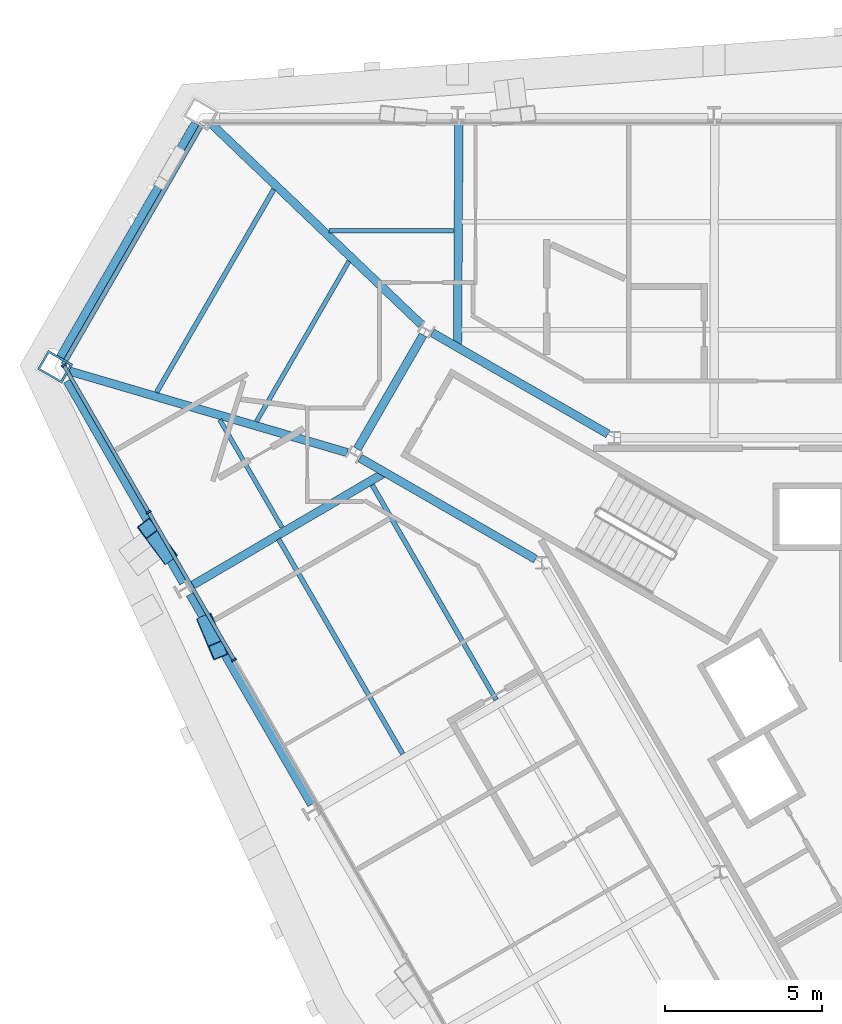
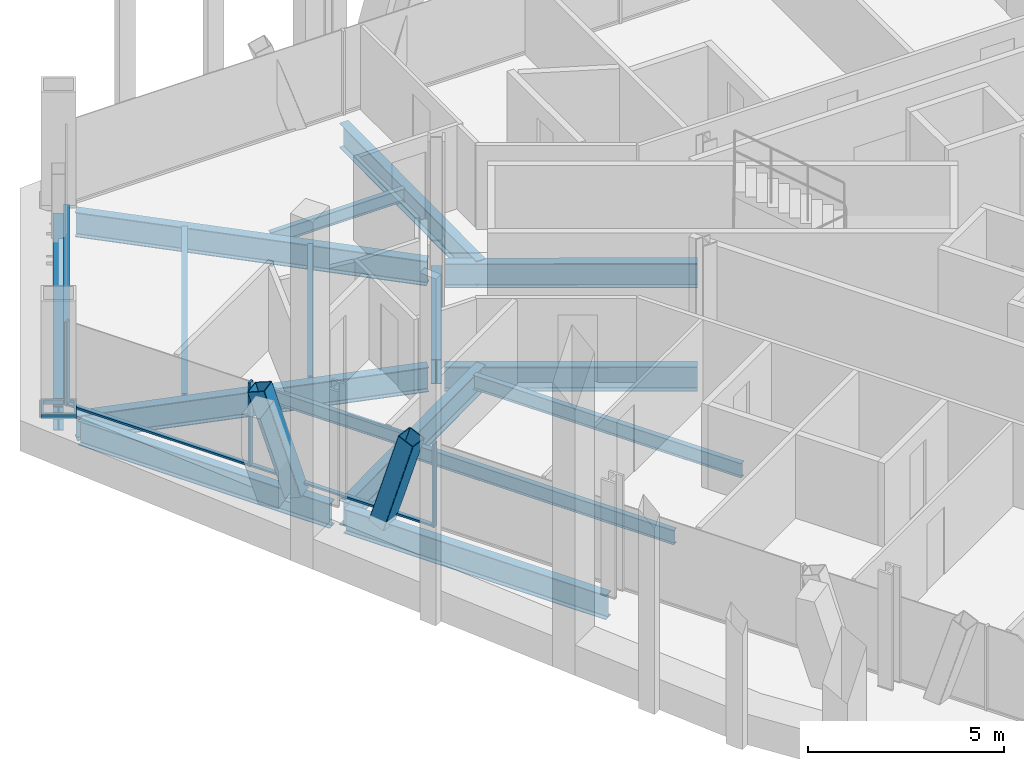
# One storey, part 7 of 19: 16 beams, 9 members, 2 elements without a shape of their own.
"""IFC4 building model written with IfcOpenShell, lengths in metres."""

import ifcopenshell
import ifcopenshell.guid

model = None  # the IFC model being written
_history = None  # IfcOwnerHistory: only IFC2X3 demands one
_inside = {}  # id of a spatial element -> (the spatial element, [elements in it])
_under = {}  # id of a project, library or spatial element -> (it, [spatial elements below it])
_declared = {}  # id of a project -> (the project, [libraries it declares])
_typed = {}  # id of a type object -> (the type object, [elements of that type])
_made_of = {}  # id of a material, layer set ... -> (it, [elements and type objects made of it])


def new_model(schema):
    """Start an empty IFC model of exactly this schema.

    Asked for "IFC4X3", IfcOpenShell would pick the latest addendum, in which some entities
    have other attributes; the version numbers below select the first issue.
    IFC2X3 requires an IfcOwnerHistory on every rooted entity: one is made here for all.
    """
    global model, _history
    if schema == "IFC4X3":
        model = ifcopenshell.file(schema_version=(4, 3, 0, 0))
    else:
        model = ifcopenshell.file(schema=schema)
    _inside.clear()
    _under.clear()
    _declared.clear()
    _typed.clear()
    _made_of.clear()
    _history = None
    if model.schema == "IFC2X3":
        org = make("IfcOrganization", Name="unknown")
        user = make(
            "IfcPersonAndOrganization",
            ThePerson=make("IfcPerson", FamilyName="unknown"),
            TheOrganization=org,
        )
        app = make(
            "IfcApplication",
            ApplicationDeveloper=org,
            Version="unknown",
            ApplicationFullName="unknown",
            ApplicationIdentifier="unknown",
        )
        _history = make(
            "IfcOwnerHistory",
            OwningUser=user,
            OwningApplication=app,
            ChangeAction="ADDED",
            CreationDate=0,
        )
    return model


def make(cls, **values):
    """One entity of the class cls with the attributes given. An attribute that is None is left unset."""
    return model.create_entity(
        cls, **{name: value for name, value in values.items() if value is not None}
    )


def rooted(cls, **values):
    """An entity with a GlobalId (a new one), such as an element, a storey or a relation."""
    return make(cls, GlobalId=ifcopenshell.guid.new(), OwnerHistory=_history, **values)


def si_unit(unit_type, name, prefix=None):
    """IfcSIUnit, for example si_unit("LENGTHUNIT", "METRE", prefix="MILLI")."""
    return make("IfcSIUnit", UnitType=unit_type, Prefix=prefix, Name=name)


def assignment(units):
    """IfcUnitAssignment: the units of a project."""
    return None if units is None else make("IfcUnitAssignment", Units=units)


def point(xyz):
    """IfcCartesianPoint."""
    return None if xyz is None else make("IfcCartesianPoint", Coordinates=xyz)


def direction(xyz):
    """IfcDirection."""
    return None if xyz is None else make("IfcDirection", DirectionRatios=xyz)


def frame(location, z_axis=None, x_axis=None):
    """IfcAxis2Placement3D, a coordinate frame: its origin and axes. An axis left out is left unset."""
    return make(
        "IfcAxis2Placement3D",
        Location=point(location),
        Axis=direction(z_axis),
        RefDirection=direction(x_axis),
    )


def frame_2d(location, x_axis=None):
    """IfcAxis2Placement2D, a coordinate frame in the plane: its origin and x axis."""
    return make(
        "IfcAxis2Placement2D", Location=point(location), RefDirection=direction(x_axis)
    )


def origin():
    """The frame at (0, 0, 0) with its axes left unset."""
    return frame((0.0, 0.0, 0.0))


def origin_2d():
    """The frame at (0, 0) in the plane with its x axis left unset."""
    return frame_2d((0.0, 0.0))


def place(relative_to, where):
    """IfcLocalPlacement: puts the frame where relative to a parent placement (None: the world)."""
    return make(
        "IfcLocalPlacement", PlacementRelTo=relative_to, RelativePlacement=where
    )


def context(
    kind, dimensions, precision=None, world=None, true_north=None, identifier=None
):
    """IfcGeometricRepresentationContext, for example the 3D "Model" context."""
    return make(
        "IfcGeometricRepresentationContext",
        ContextIdentifier=identifier,
        ContextType=kind,
        CoordinateSpaceDimension=dimensions,
        Precision=precision,
        WorldCoordinateSystem=world,
        TrueNorth=true_north,
    )


def subcontext(parent, identifier, kind, view, scale=None):
    """IfcGeometricRepresentationSubContext, for example "Body" below "Model"."""
    return make(
        "IfcGeometricRepresentationSubContext",
        ContextIdentifier=identifier,
        ContextType=kind,
        ParentContext=parent,
        TargetScale=scale,
        TargetView=view,
    )


def project(units=None, contexts=None):
    """IfcProject with its units and contexts."""
    return rooted(
        "IfcProject",
        Name="project",
        RepresentationContexts=contexts,
        UnitsInContext=assignment(units),
    )


def spatial(cls, under=None, at=None, **own):
    """A site, building, storey or space (cls), placed at a placement, below another one or the project."""
    s = rooted(cls, ObjectPlacement=at, **own)
    if under is not None:
        _under.setdefault(under.id(), (under, []))[1].append(s)
    return s


def profile(cls, at=None, kind="AREA", **sizes):
    """A parametric profile (cls). Its sizes go by their IFC names, for example OverallWidth=200.0."""
    return make(cls, ProfileType=kind, Position=at, **sizes)


def rectangle(**sizes):
    """IfcRectangleProfileDef."""
    return profile("IfcRectangleProfileDef", **sizes)


def hollow_rectangle(**sizes):
    """IfcRectangleHollowProfileDef."""
    return profile("IfcRectangleHollowProfileDef", **sizes)


def i_section(**sizes):
    """IfcIShapeProfileDef."""
    return profile("IfcIShapeProfileDef", **sizes)


def extrude(swept, where, along, depth):
    """IfcExtrudedAreaSolid: the profile swept, set in the frame where, extruded along a direction by depth."""
    return make(
        "IfcExtrudedAreaSolid",
        SweptArea=swept,
        Position=where,
        ExtrudedDirection=direction(along),
        Depth=depth,
    )


def shape(context_of_items, identifier, shape_type, items):
    """IfcShapeRepresentation: the items that make up one representation, for example the "Body"."""
    return make(
        "IfcShapeRepresentation",
        ContextOfItems=context_of_items,
        RepresentationIdentifier=identifier,
        RepresentationType=shape_type,
        Items=items,
    )


def material(Name=None, Category=None):
    """IfcMaterial."""
    return make("IfcMaterial", Name=Name, Category=Category)


def material_profile(
    of_material, cross_section, Name=None, Category=None, Priority=None
):
    """IfcMaterialProfile: a cross section and its material."""
    return make(
        "IfcMaterialProfile",
        Name=Name,
        Material=of_material,
        Profile=cross_section,
        Priority=Priority,
        Category=Category,
    )


def profile_set(profiles, Name=None, composite=None):
    """IfcMaterialProfileSet."""
    return make(
        "IfcMaterialProfileSet",
        Name=Name,
        MaterialProfiles=profiles,
        CompositeProfile=composite,
    )


def made_of(thing, what):
    """Note that an element or type object is made of a material, layer set ...; save() writes the relation."""
    if what is not None:
        _made_of.setdefault(what.id(), (what, []))[1].append(thing)
    return thing


def type_object(cls, material=None, **own):
    """A type object (cls), such as IfcWallType, which elements share."""
    return made_of(rooted(cls, **own), material)


def element(
    cls,
    number,
    at=None,
    inside=None,
    cuts=None,
    type_object=None,
    material=None,
    context=None,
    identifier="Body",
    shape_type=None,
    held_by="IfcProductDefinitionShape",
    body=None,
    shapes=None,
    **own,
):
    """One element of the class cls, such as IfcWall. Its Tag is "e" and its number.

    at: its placement. inside: the storey or other place that contains it. cuts: it is an
    opening in that element (IfcRelVoidsElement). A single representation is given by context,
    identifier, shape_type and body (its items); several are given by shapes. held_by: the class
    of the entity that holds the representations. save() writes the other relations.
    """
    e = rooted(cls, Tag="e%d" % number, ObjectPlacement=at, **own)
    if body is not None:
        shapes = [shape(context, identifier, shape_type, body)]
    if shapes is not None:
        e.Representation = make(held_by, Representations=shapes)
    if inside is not None:
        _inside.setdefault(inside.id(), (inside, []))[1].append(e)
    if cuts is not None:
        rooted(
            "IfcRelVoidsElement", RelatingBuildingElement=cuts, RelatedOpeningElement=e
        )
    if type_object is not None:
        _typed.setdefault(type_object.id(), (type_object, []))[1].append(e)
    return made_of(e, material)


def aggregate(whole, parts):
    """IfcRelAggregates: a whole, such as a stair, and the parts it consists of."""
    return rooted("IfcRelAggregates", RelatingObject=whole, RelatedObjects=parts)


def save(model, path):
    """Write the relations noted so far, then the file.

    IfcRelAggregates (storeys below a building ...), IfcRelContainedInSpatialStructure (elements
    in a storey), IfcRelDefinesByType, IfcRelAssociatesMaterial and IfcRelDeclares: one each for
    every whole, place, type object, material and project.
    """
    for whole, parts in _under.values():
        aggregate(whole, parts)
    for where, things in _inside.values():
        rooted(
            "IfcRelContainedInSpatialStructure",
            RelatedElements=things,
            RelatingStructure=where,
        )
    for kind, things in _typed.values():
        rooted("IfcRelDefinesByType", RelatedObjects=things, RelatingType=kind)
    for what, things in _made_of.values():
        rooted("IfcRelAssociatesMaterial", RelatedObjects=things, RelatingMaterial=what)
    for by, libraries in _declared.values():
        rooted("IfcRelDeclares", RelatingContext=by, RelatedDefinitions=libraries)
    model.write(path)


model = new_model("IFC4")

# Units and contexts
model_context = context("Model", 3, precision=1e-05, world=origin(), true_north=direction((0.0, 1.0)))
body_context = subcontext(model_context, "Body", "Model", "MODEL_VIEW")
ifc_project = project(units=[si_unit("LENGTHUNIT", "METRE"), si_unit("AREAUNIT", "SQUARE_METRE"), si_unit("VOLUMEUNIT", "CUBIC_METRE"), si_unit("PLANEANGLEUNIT", "RADIAN"), si_unit("MASSUNIT", "GRAM", prefix="KILO")], contexts=[model_context])

# Site, building, storey
site_placement = place(None, origin())
site = spatial("IfcSite", under=ifc_project, at=site_placement, CompositionType="ELEMENT")
building_placement = place(site_placement, origin())
building = spatial("IfcBuilding", under=site, at=building_placement, Name="Verrane Prism Tower", CompositionType="ELEMENT")
storey_placement = place(building_placement, frame((0.0, 0.0, 121.60009765625)))
storey = spatial("IfcBuildingStorey", under=building, at=storey_placement, Name="L29", CompositionType="ELEMENT", Elevation=121.60009765625)

# Beams
ifc_material_1 = material(Name="Steel A992", Category="steel")
ifc_material_profile_1 = material_profile(ifc_material_1, i_section(OverallWidth=0.2666015625, OverallDepth=0.76708984375, WebThickness=0.014892578125, FlangeThickness=0.023681640625, FilletRadius=0.0166015625, at=origin_2d()), Name="W30x124")
ifc_profile_set_1 = profile_set([ifc_material_profile_1], Name="Steel A992")
beam_type_1 = type_object("IfcBeamType", Name="Chamfer spandrel beam W30x124", PredefinedType="SPANDREL", material=ifc_profile_set_1)
beam_1_placement = place(storey_placement, frame((-24.64501953125, 19.18701171875, -0.543701171875), z_axis=(-0.499834903175, -0.866120701501, 0.0), x_axis=(0.866120701501, -0.499834903175, 0.0)))
element("IfcBeam", 1, at=beam_1_placement, inside=storey, type_object=beam_type_1, Name="Chamfer spandrel beam L29", PredefinedType="SPANDREL", context=body_context, shape_type="SweptSolid", body=[
    extrude(i_section(OverallWidth=0.2666015625, OverallDepth=0.76708984375, WebThickness=0.014892578125, FlangeThickness=0.023681640625, FilletRadius=0.0166015625, at=origin_2d()), origin(), (0.0, 0.0, 1.0), 8.5830078125),
])
ifc_material_2 = material(Name="Steel A992", Category="steel")
ifc_material_profile_2 = material_profile(ifc_material_2, i_section(OverallWidth=0.2666015625, OverallDepth=0.7568359375, WebThickness=0.013916015625, FlangeThickness=0.019287109375, FilletRadius=0.0166015625, at=origin_2d()), Name="W30x108")
ifc_profile_set_2 = profile_set([ifc_material_profile_2], Name="Steel A992")
beam_type_2 = type_object("IfcBeamType", Name="Core ring girder W30x108", PredefinedType="BEAM", material=ifc_profile_set_2)
beam_2_placement = place(storey_placement, frame((-11.53076171875, 9.315673828125, -0.628662109375), z_axis=(-0.866455532004, 0.499254254924, 0.0), x_axis=(-0.499254254924, -0.866455532004, 0.0)))
element("IfcBeam", 2, at=beam_2_placement, inside=storey, type_object=beam_type_2, Name="Core ring girder L29", PredefinedType="BEAM", context=body_context, shape_type="SweptSolid", body=[
    extrude(i_section(OverallWidth=0.2666015625, OverallDepth=0.7568359375, WebThickness=0.013916015625, FlangeThickness=0.019287109375, FilletRadius=0.0166015625, at=origin_2d()), origin(), (0.0, 0.0, 1.0), 6.441162109375),
])
beam_3_placement = place(storey_placement, frame((-17.40283203125, 12.4619140625, -0.628662109375), z_axis=(-0.500367003619, -0.865813410435, 0.0), x_axis=(0.865813410435, -0.500367003619, 0.0)))
element("IfcBeam", 3, at=beam_3_placement, inside=storey, type_object=beam_type_2, Name="Core ring girder L29", PredefinedType="BEAM", context=body_context, shape_type="SweptSolid", body=[
    extrude(i_section(OverallWidth=0.2666015625, OverallDepth=0.7568359375, WebThickness=0.013916015625, FlangeThickness=0.019287109375, FilletRadius=0.0166015625, at=origin_2d()), origin(), (0.0, 0.0, 1.0), 4.185302734375),
])
beam_4_placement = place(storey_placement, frame((-19.411865234375, 8.551513671875, -0.628662109375), z_axis=(0.866455532004, -0.499254254924, 0.0), x_axis=(0.499254254924, 0.866455532004, 0.0)))
element("IfcBeam", 4, at=beam_4_placement, inside=storey, type_object=beam_type_2, Name="Core ring girder L29", PredefinedType="BEAM", context=body_context, shape_type="SweptSolid", body=[
    extrude(i_section(OverallWidth=0.2666015625, OverallDepth=0.7568359375, WebThickness=0.013916015625, FlangeThickness=0.019287109375, FilletRadius=0.0166015625, at=origin_2d()), origin(), (0.0, 0.0, 1.0), 6.441162109375),
])
ifc_material_3 = material(Name="Steel A992", Category="steel")
ifc_material_profile_3 = material_profile(ifc_material_3, i_section(OverallWidth=0.2666015625, OverallDepth=0.76708984375, WebThickness=0.014892578125, FlangeThickness=0.023681640625, FilletRadius=0.0166015625, at=origin_2d()), Name="W30x124")
ifc_profile_set_3 = profile_set([ifc_material_profile_3], Name="Steel A992")
beam_type_3 = type_object("IfcBeamType", Name="Corner girder W30x124", PredefinedType="BEAM", material=ifc_profile_set_3)
beam_5_placement = place(storey_placement, frame((-24.135009765625, 19.170166015625, -0.603515625), z_axis=(0.723045594002, -0.690800310506, 0.0), x_axis=(0.690800310506, 0.723045594002, 0.0)))
element("IfcBeam", 5, at=beam_5_placement, inside=storey, type_object=beam_type_3, Name="Corner girder L29", PredefinedType="BEAM", context=body_context, shape_type="SweptSolid", body=[
    extrude(i_section(OverallWidth=0.2666015625, OverallDepth=0.76708984375, WebThickness=0.014892578125, FlangeThickness=0.023681640625, FilletRadius=0.0166015625, at=origin_2d()), origin(), (0.0, 0.0, 1.0), 9.2294921875),
])
beam_6_placement = place(storey_placement, frame((-28.66552734375, 11.319580078125, -0.603515625), z_axis=(0.959558305514, -0.281509961313, 0.0), x_axis=(0.281509961313, 0.959558305514, 0.0)))
element("IfcBeam", 6, at=beam_6_placement, inside=storey, type_object=beam_type_3, Name="Corner girder L29", PredefinedType="BEAM", context=body_context, shape_type="SweptSolid", body=[
    extrude(i_section(OverallWidth=0.2666015625, OverallDepth=0.76708984375, WebThickness=0.014892578125, FlangeThickness=0.023681640625, FilletRadius=0.0166015625, at=origin_2d()), origin(), (0.0, 0.0, 1.0), 9.22412109375),
])

# Members
ifc_material_4 = material(Name="Steel A1085 Grade A", Category="steel")
ifc_material_profile_4 = material_profile(ifc_material_4, hollow_rectangle(XDim=0.508056640625, YDim=0.508056640625, WallThickness=0.025390625, InnerFilletRadius=0.0126953125, OuterFilletRadius=0.0380859375, at=origin_2d()), Name="HSS20x20x1")
ifc_profile_set_4 = profile_set([ifc_material_profile_4], Name="Steel A1085 Grade A")
member_type_1 = type_object("IfcMemberType", Name="Facade brace HSS20x20x1", PredefinedType="BRACE", material=ifc_profile_set_4)
member_1_placement = place(storey_placement, frame((-25.54443359375, 5.493896484375, -0.24267578125), z_axis=(-0.191600235663, 0.258080060712, 0.946934016686), x_axis=(-0.802917137422, -0.596090656222, 0.0)))
element("IfcMember", 7, at=member_1_placement, inside=storey, type_object=member_type_1, Name="Facade brace SW0 L29", PredefinedType="BRACE", context=body_context, shape_type="SweptSolid", body=[
    extrude(hollow_rectangle(XDim=0.508056640625, YDim=0.508056640625, WallThickness=0.025390625, InnerFilletRadius=0.0126953125, OuterFilletRadius=0.0380859375, at=origin_2d()), origin(), (0.0, 0.0, 1.0), 3.176513671875),
])
member_2_placement = place(storey_placement, frame((-24.287109375, 3.314453125, -0.24267578125), z_axis=(0.11629514021, -0.276413881858, 0.95397631327), x_axis=(0.921742261649, 0.387803046778, 0.0)))
element("IfcMember", 8, at=member_2_placement, inside=storey, type_object=member_type_1, Name="Facade brace SW1 L29", PredefinedType="BRACE", context=body_context, shape_type="SweptSolid", body=[
    extrude(hollow_rectangle(XDim=0.508056640625, YDim=0.508056640625, WallThickness=0.025390625, InnerFilletRadius=0.0126953125, OuterFilletRadius=0.0380859375, at=origin_2d()), origin(), (0.0, 0.0, 1.0), 3.153076171875),
])

# Beams
ifc_material_5 = material(Name="Steel A992", Category="steel")
ifc_material_profile_5 = material_profile(ifc_material_5, i_section(OverallWidth=0.140380859375, OverallDepth=0.40380859375, WebThickness=0.007080078125, FlangeThickness=0.01123046875, FilletRadius=0.01025390625, at=origin_2d()), Name="W16x31")
ifc_profile_set_5 = profile_set([ifc_material_profile_5], Name="Steel A992")
beam_type_4 = type_object("IfcBeamType", Name="Floor beam W16x31", PredefinedType="BEAM", material=ifc_profile_set_5)
beam_7_placement = place(storey_placement, frame((-20.393310546875, 15.780029296875, -0.362060546875), z_axis=(1.0, 0.0, 0.0), x_axis=(0.0, 1.0, 0.0)))
element("IfcBeam", 9, at=beam_7_placement, inside=storey, type_object=beam_type_4, Name="Floor beam L29", PredefinedType="BEAM", context=body_context, shape_type="SweptSolid", body=[
    extrude(i_section(OverallWidth=0.140380859375, OverallDepth=0.40380859375, WebThickness=0.007080078125, FlangeThickness=0.01123046875, FilletRadius=0.01025390625, at=origin_2d()), origin(), (0.0, 0.0, 1.0), 3.94970703125),
])
beam_8_placement = place(storey_placement, frame((-21.891845703125, 6.3505859375, -0.362060546875), z_axis=(-0.499986281351, 0.866033324105, 0.0), x_axis=(-0.866033324105, -0.499986281351, 0.0)))
element("IfcBeam", 10, at=beam_8_placement, inside=storey, type_object=beam_type_4, Name="Floor beam L29", PredefinedType="BEAM", context=body_context, shape_type="SweptSolid", body=[
    extrude(i_section(OverallWidth=0.140380859375, OverallDepth=0.40380859375, WebThickness=0.007080078125, FlangeThickness=0.01123046875, FilletRadius=0.01025390625, at=origin_2d()), origin(), (0.0, 0.0, 1.0), 3.95166015625),
])
beam_9_placement = place(storey_placement, frame((-22.70068359375, 9.708740234375, -0.362060546875), z_axis=(0.500003813253, 0.866023202191, 0.0), x_axis=(-0.866023202191, 0.500003813253, 0.0)))
element("IfcBeam", 11, at=beam_9_placement, inside=storey, type_object=beam_type_4, Name="Floor beam L29", PredefinedType="BEAM", context=body_context, shape_type="SweptSolid", body=[
    extrude(i_section(OverallWidth=0.140380859375, OverallDepth=0.40380859375, WebThickness=0.007080078125, FlangeThickness=0.01123046875, FilletRadius=0.01025390625, at=origin_2d()), origin(), (0.0, 0.0, 1.0), 5.8837890625),
])
ifc_material_6 = material(Name="Steel A992", Category="steel")
ifc_material_profile_6 = material_profile(ifc_material_6, i_section(OverallWidth=0.15234375, OverallDepth=0.449462890625, WebThickness=0.007568359375, FlangeThickness=0.0107421875, FilletRadius=0.01025390625, at=origin_2d()), Name="W18x35")
ifc_profile_set_6 = profile_set([ifc_material_profile_6], Name="Steel A992")
beam_type_5 = type_object("IfcBeamType", Name="Floor beam W18x35", PredefinedType="BEAM", material=ifc_profile_set_6)
beam_10_placement = place(storey_placement, frame((-15.0810546875, 0.868408203125, -0.385009765625), z_axis=(-0.499998505031, 0.866026266903, 0.0), x_axis=(-0.866026266903, -0.499998505031, 0.0)))
element("IfcBeam", 12, at=beam_10_placement, inside=storey, type_object=beam_type_5, Name="Floor beam L29", PredefinedType="BEAM", context=body_context, shape_type="SweptSolid", body=[
    extrude(i_section(OverallWidth=0.15234375, OverallDepth=0.449462890625, WebThickness=0.007568359375, FlangeThickness=0.0107421875, FilletRadius=0.01025390625, at=origin_2d()), origin(), (0.0, 0.0, 1.0), 7.88525390625),
])
beam_11_placement = place(storey_placement, frame((-18.055419921875, -0.848876953125, -0.385009765625), z_axis=(-0.500004726595, 0.866022674866, 0.0), x_axis=(-0.866022674866, -0.500004726595, 0.0)))
element("IfcBeam", 13, at=beam_11_placement, inside=storey, type_object=beam_type_5, Name="Floor beam L29", PredefinedType="BEAM", context=body_context, shape_type="SweptSolid", body=[
    extrude(i_section(OverallWidth=0.15234375, OverallDepth=0.449462890625, WebThickness=0.007568359375, FlangeThickness=0.0107421875, FilletRadius=0.01025390625, at=origin_2d()), origin(), (0.0, 0.0, 1.0), 7.88623046875),
])
beam_12_placement = place(storey_placement, frame((-25.871826171875, 10.63916015625, -0.385009765625), z_axis=(0.500011000363, 0.866019052629, 0.0), x_axis=(-0.866019052629, 0.500011000363, 0.0)))
element("IfcBeam", 14, at=beam_12_placement, inside=storey, type_object=beam_type_5, Name="Floor beam L29", PredefinedType="BEAM", context=body_context, shape_type="SweptSolid", body=[
    extrude(i_section(OverallWidth=0.15234375, OverallDepth=0.449462890625, WebThickness=0.007568359375, FlangeThickness=0.0107421875, FilletRadius=0.01025390625, at=origin_2d()), origin(), (0.0, 0.0, 1.0), 7.446044921875),
])

# Member
ifc_material_7 = material(Name="Steel A572 Grade 50", Category="steel")
ifc_material_profile_7 = material_profile(ifc_material_7, hollow_rectangle(XDim=0.699951171875, YDim=0.89990234375, WallThickness=0.06494140625, at=origin_2d()), Name="BOX 900x700x65")
ifc_profile_set_7 = profile_set([ifc_material_profile_7], Name="Steel A572 Grade 50")
member_type_2 = type_object("IfcMemberType", Name="Kink node BOX 900x700x65", PredefinedType="COLLAR", material=ifc_profile_set_7)
member_3_placement = place(storey_placement, frame((-29.1015625, 11.449951171875, -0.0751953125), z_axis=(0.0, 0.0, 1.0), x_axis=(0.5, 0.866025403784, 0.0)))
element("IfcMember", 15, at=member_3_placement, inside=storey, type_object=member_type_2, Name="Kink node MC3 L29", PredefinedType="COLLAR", context=body_context, shape_type="SweptSolid", body=[
    extrude(hollow_rectangle(XDim=0.699951171875, YDim=0.89990234375, WallThickness=0.06494140625, at=origin_2d()), origin(), (0.0, 0.0, 1.0), 0.150146484375),
])

# Curtain wall, members
ifc_material_8 = material(Name="Aluminium framed insulated glazing", Category="aluminium")
curtain_wall_type_1 = type_object("IfcCurtainWallType", Name="Curtain wall CW-B 5600 module", PredefinedType="NOTDEFINED", material=ifc_material_8)
curtain_wall_1_placement = place(storey_placement, origin())
curtain_wall_1 = element("IfcCurtainWall", 16, at=curtain_wall_1_placement, inside=storey, type_object=curtain_wall_type_1, Name="Glazed curtain wall south-west face L29", PredefinedType="NOTDEFINED")
ifc_material_9 = material(Name="Aluminium alloy 6063-T6", Category="aluminium")
ifc_material_profile_8 = material_profile(ifc_material_9, rectangle(XDim=0.159912109375, YDim=0.06005859375, at=origin_2d()), Name="Mullion 60x160 aluminium")
ifc_profile_set_8 = profile_set([ifc_material_profile_8], Name="Aluminium alloy 6063-T6")
member_type_3 = type_object("IfcMemberType", Name="Mullion 60x160 aluminium", PredefinedType="MULLION", material=ifc_profile_set_8)
member_4_placement = place(storey_placement, frame((-28.821533203125, 11.498291015625, 0.0), z_axis=(0.0, 0.0, 1.0), x_axis=(0.866025327793, 0.500000131621, 0.0)))
member_4 = element("IfcMember", 17, at=member_4_placement, type_object=member_type_3, Name="CW29.4 mullion 1", PredefinedType="MULLION", context=body_context, shape_type="SweptSolid", body=[
    extrude(rectangle(XDim=0.159912109375, YDim=0.06005859375, at=origin_2d()), origin(), (0.0, 0.0, 1.0), 2.61279296875),
])
member_5_placement = place(storey_placement, frame((-26.12548828125, 6.828857421875, 0.0), z_axis=(0.0, 0.0, 1.0), x_axis=(0.866025327793, 0.500000131621, 0.0)))
member_5 = element("IfcMember", 18, at=member_5_placement, type_object=member_type_3, Name="CW29.4 mullion 2", PredefinedType="MULLION", context=body_context, shape_type="SweptSolid", body=[
    extrude(rectangle(XDim=0.159912109375, YDim=0.06005859375, at=origin_2d()), origin(), (0.0, 0.0, 1.0), 2.61279296875),
])
member_6_placement = place(storey_placement, frame((-23.41455078125, 2.13330078125, 0.0), z_axis=(0.0, 0.0, 1.0), x_axis=(0.866025327793, 0.500000131621, 0.0)))
member_6 = element("IfcMember", 19, at=member_6_placement, type_object=member_type_3, Name="CW29.4 mullion 3", PredefinedType="MULLION", context=body_context, shape_type="SweptSolid", body=[
    extrude(rectangle(XDim=0.159912109375, YDim=0.06005859375, at=origin_2d()), origin(), (0.0, 0.0, 1.0), 2.61279296875),
])

# Beams
ifc_material_10 = material(Name="Steel A992", Category="steel")
ifc_material_profile_9 = material_profile(ifc_material_10, i_section(OverallWidth=0.2666015625, OverallDepth=0.76708984375, WebThickness=0.014892578125, FlangeThickness=0.023681640625, FilletRadius=0.0166015625, at=origin_2d()), Name="W30x124")
ifc_profile_set_9 = profile_set([ifc_material_profile_9], Name="Steel A992")
beam_type_6 = type_object("IfcBeamType", Name="Radial girder W30x124", PredefinedType="BEAM", material=ifc_profile_set_9)
beam_13_placement = place(storey_placement, frame((-16.265625, 19.14404296875, -0.603515625), z_axis=(-0.006280719545, -0.999980276086, 0.0), x_axis=(0.999980276086, -0.006280719545, 0.0)))
element("IfcBeam", 20, at=beam_13_placement, inside=storey, type_object=beam_type_6, Name="Radial girder L29", PredefinedType="BEAM", context=body_context, shape_type="SweptSolid", body=[
    extrude(i_section(OverallWidth=0.2666015625, OverallDepth=0.76708984375, WebThickness=0.014892578125, FlangeThickness=0.023681640625, FilletRadius=0.0166015625, at=origin_2d()), origin(), (0.0, 0.0, 1.0), 7.07470703125),
])
beam_14_placement = place(storey_placement, frame((-24.718505859375, 4.51513671875, -0.603515625), z_axis=(0.862917965476, 0.505344026242, 0.0), x_axis=(-0.505344026242, 0.862917965476, 0.0)))
element("IfcBeam", 21, at=beam_14_placement, inside=storey, type_object=beam_type_6, Name="Radial girder L29", PredefinedType="BEAM", context=body_context, shape_type="SweptSolid", body=[
    extrude(i_section(OverallWidth=0.2666015625, OverallDepth=0.76708984375, WebThickness=0.014892578125, FlangeThickness=0.023681640625, FilletRadius=0.0166015625, at=origin_2d()), origin(), (0.0, 0.0, 1.0), 7.076171875),
])
ifc_material_11 = material(Name="Steel A992", Category="steel")
ifc_material_profile_10 = material_profile(ifc_material_11, i_section(OverallWidth=0.2666015625, OverallDepth=0.7568359375, WebThickness=0.013916015625, FlangeThickness=0.019287109375, FilletRadius=0.0166015625, at=origin_2d()), Name="W30x108")
ifc_profile_set_10 = profile_set([ifc_material_profile_10], Name="Steel A992")
beam_type_7 = type_object("IfcBeamType", Name="Spandrel beam W30x108", PredefinedType="SPANDREL", material=ifc_profile_set_10)
beam_15_placement = place(storey_placement, frame((-28.71484375, 10.99951171875, -0.53857421875), z_axis=(0.499015462662, -0.866593080993, 0.0), x_axis=(0.866593080993, 0.499015462662, 0.0)))
element("IfcBeam", 22, at=beam_15_placement, inside=storey, type_object=beam_type_7, Name="Spandrel beam L29", PredefinedType="SPANDREL", context=body_context, shape_type="SweptSolid", body=[
    extrude(i_section(OverallWidth=0.2666015625, OverallDepth=0.7568359375, WebThickness=0.013916015625, FlangeThickness=0.019287109375, FilletRadius=0.0166015625, at=origin_2d()), origin(), (0.0, 0.0, 1.0), 7.40576171875),
])
beam_16_placement = place(storey_placement, frame((-24.809814453125, 4.218994140625, -0.53857421875), z_axis=(0.500403614739, -0.865792251268, 0.0), x_axis=(0.865792251268, 0.500403614739, 0.0)))
element("IfcBeam", 23, at=beam_16_placement, inside=storey, type_object=beam_type_7, Name="Spandrel beam L29", PredefinedType="SPANDREL", context=body_context, shape_type="SweptSolid", body=[
    extrude(i_section(OverallWidth=0.2666015625, OverallDepth=0.7568359375, WebThickness=0.013916015625, FlangeThickness=0.019287109375, FilletRadius=0.0166015625, at=origin_2d()), origin(), (0.0, 0.0, 1.0), 7.7138671875),
])

# Member
ifc_material_12 = material(Name="Aluminium alloy 6063-T6", Category="aluminium")
ifc_material_profile_11 = material_profile(ifc_material_12, rectangle(XDim=0.1201171875, YDim=0.06005859375, at=origin_2d()), Name="Transom 60x120 aluminium")
ifc_profile_set_11 = profile_set([ifc_material_profile_11], Name="Aluminium alloy 6063-T6")
member_type_4 = type_object("IfcMemberType", Name="Transom 60x120 aluminium", PredefinedType="USERDEFINED", material=ifc_profile_set_11)
member_7_placement = place(storey_placement, frame((-28.806396484375, 11.472412109375, 0.02978515625), z_axis=(0.499965555435, -0.86604528945, 0.0), x_axis=(0.86604528945, 0.499965555435, 0.0)))
member_7 = element("IfcMember", 24, at=member_7_placement, type_object=member_type_4, Name="CW29.4 transom 1", ObjectType="TRANSOM", PredefinedType="USERDEFINED", context=body_context, shape_type="SweptSolid", body=[
    extrude(rectangle(XDim=0.1201171875, YDim=0.06005859375, at=origin_2d()), origin(), (0.0, 0.0, 1.0), 5.33203125),
])

member_8_placement = place(storey_placement, frame((-26.110595703125, 6.802734375, 0.02978515625), z_axis=(0.499993097703, -0.866029388791, 0.0), x_axis=(0.866029388791, 0.499993097703, 0.0)))
member_8 = element("IfcMember", 25, at=member_8_placement, type_object=member_type_4, Name="CW29.4 transom 2", ObjectType="TRANSOM", PredefinedType="USERDEFINED", context=body_context, shape_type="SweptSolid", body=[
    extrude(rectangle(XDim=0.1201171875, YDim=0.06005859375, at=origin_2d()), origin(), (0.0, 0.0, 1.0), 5.36181640625),
])

aggregate(curtain_wall_1, [member_4, member_5, member_6, member_7, member_8])

# Curtain wall, member
ifc_material_13 = material(Name="Aluminium framed insulated glazing", Category="aluminium")
curtain_wall_type_2 = type_object("IfcCurtainWallType", Name="Curtain wall CW-A 8400 module", PredefinedType="NOTDEFINED", material=ifc_material_13)
curtain_wall_2_placement = place(storey_placement, origin())
curtain_wall_2 = element("IfcCurtainWall", 26, at=curtain_wall_2_placement, inside=storey, type_object=curtain_wall_type_2, Name="Glazed curtain wall north-west corner L29", PredefinedType="NOTDEFINED")
ifc_material_14 = material(Name="Aluminium alloy 6063-T6", Category="aluminium")
ifc_material_profile_12 = material_profile(ifc_material_14, rectangle(XDim=0.14990234375, YDim=0.070068359375, at=origin_2d()), Name="Transom 70x150 aluminium")
ifc_profile_set_12 = profile_set([ifc_material_profile_12], Name="Aluminium alloy 6063-T6")
member_type_5 = type_object("IfcMemberType", Name="Transom 70x150 aluminium", PredefinedType="USERDEFINED", material=ifc_profile_set_12)
member_9_placement = place(storey_placement, frame((-24.43359375, 19.150390625, 0.034912109375), z_axis=(-0.499997650106, -0.866026760492, 0.0), x_axis=(0.866026760492, -0.499997650106, 0.0)))
member_9 = element("IfcMember", 27, at=member_9_placement, type_object=member_type_5, Name="CW29.3 transom 1", ObjectType="TRANSOM", PredefinedType="USERDEFINED", context=body_context, shape_type="SweptSolid", body=[
    extrude(rectangle(XDim=0.14990234375, YDim=0.070068359375, at=origin_2d()), origin(), (0.0, 0.0, 1.0), 8.8056640625),
])
aggregate(curtain_wall_2, [member_9])

save(model, "model.ifc")
